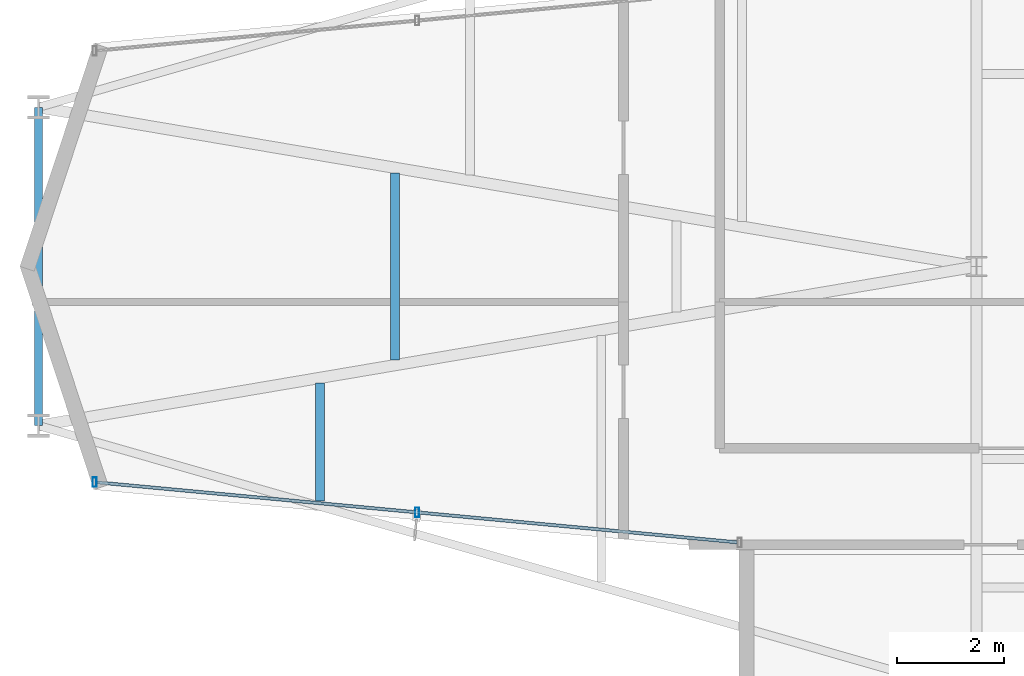
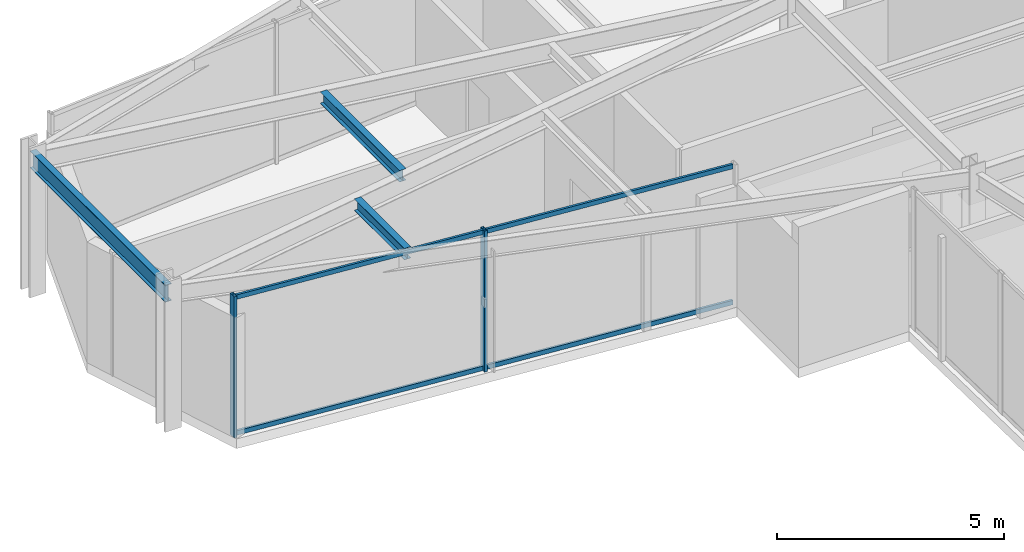
# One storey, part 2 of 24: 4 members, 3 beams, 1 element without a shape of its own.
"""IFC4 building model written with IfcOpenShell, lengths in metres."""

import ifcopenshell
import ifcopenshell.guid

model = None  # the IFC model being written
_history = None  # IfcOwnerHistory: only IFC2X3 demands one
_inside = {}  # id of a spatial element -> (the spatial element, [elements in it])
_under = {}  # id of a project, library or spatial element -> (it, [spatial elements below it])
_declared = {}  # id of a project -> (the project, [libraries it declares])
_typed = {}  # id of a type object -> (the type object, [elements of that type])
_made_of = {}  # id of a material, layer set ... -> (it, [elements and type objects made of it])


def new_model(schema):
    """Start an empty IFC model of exactly this schema.

    Asked for "IFC4X3", IfcOpenShell would pick the latest addendum, in which some entities
    have other attributes; the version numbers below select the first issue.
    IFC2X3 requires an IfcOwnerHistory on every rooted entity: one is made here for all.
    """
    global model, _history
    if schema == "IFC4X3":
        model = ifcopenshell.file(schema_version=(4, 3, 0, 0))
    else:
        model = ifcopenshell.file(schema=schema)
    _inside.clear()
    _under.clear()
    _declared.clear()
    _typed.clear()
    _made_of.clear()
    _history = None
    if model.schema == "IFC2X3":
        org = make("IfcOrganization", Name="unknown")
        user = make(
            "IfcPersonAndOrganization",
            ThePerson=make("IfcPerson", FamilyName="unknown"),
            TheOrganization=org,
        )
        app = make(
            "IfcApplication",
            ApplicationDeveloper=org,
            Version="unknown",
            ApplicationFullName="unknown",
            ApplicationIdentifier="unknown",
        )
        _history = make(
            "IfcOwnerHistory",
            OwningUser=user,
            OwningApplication=app,
            ChangeAction="ADDED",
            CreationDate=0,
        )
    return model


def make(cls, **values):
    """One entity of the class cls with the attributes given. An attribute that is None is left unset."""
    return model.create_entity(
        cls, **{name: value for name, value in values.items() if value is not None}
    )


def rooted(cls, **values):
    """An entity with a GlobalId (a new one), such as an element, a storey or a relation."""
    return make(cls, GlobalId=ifcopenshell.guid.new(), OwnerHistory=_history, **values)


def si_unit(unit_type, name, prefix=None):
    """IfcSIUnit, for example si_unit("LENGTHUNIT", "METRE", prefix="MILLI")."""
    return make("IfcSIUnit", UnitType=unit_type, Prefix=prefix, Name=name)


def assignment(units):
    """IfcUnitAssignment: the units of a project."""
    return None if units is None else make("IfcUnitAssignment", Units=units)


def point(xyz):
    """IfcCartesianPoint."""
    return None if xyz is None else make("IfcCartesianPoint", Coordinates=xyz)


def direction(xyz):
    """IfcDirection."""
    return None if xyz is None else make("IfcDirection", DirectionRatios=xyz)


def frame(location, z_axis=None, x_axis=None):
    """IfcAxis2Placement3D, a coordinate frame: its origin and axes. An axis left out is left unset."""
    return make(
        "IfcAxis2Placement3D",
        Location=point(location),
        Axis=direction(z_axis),
        RefDirection=direction(x_axis),
    )


def frame_2d(location, x_axis=None):
    """IfcAxis2Placement2D, a coordinate frame in the plane: its origin and x axis."""
    return make(
        "IfcAxis2Placement2D", Location=point(location), RefDirection=direction(x_axis)
    )


def origin():
    """The frame at (0, 0, 0) with its axes left unset."""
    return frame((0.0, 0.0, 0.0))


def origin_2d():
    """The frame at (0, 0) in the plane with its x axis left unset."""
    return frame_2d((0.0, 0.0))


def place(relative_to, where):
    """IfcLocalPlacement: puts the frame where relative to a parent placement (None: the world)."""
    return make(
        "IfcLocalPlacement", PlacementRelTo=relative_to, RelativePlacement=where
    )


def context(
    kind, dimensions, precision=None, world=None, true_north=None, identifier=None
):
    """IfcGeometricRepresentationContext, for example the 3D "Model" context."""
    return make(
        "IfcGeometricRepresentationContext",
        ContextIdentifier=identifier,
        ContextType=kind,
        CoordinateSpaceDimension=dimensions,
        Precision=precision,
        WorldCoordinateSystem=world,
        TrueNorth=true_north,
    )


def subcontext(parent, identifier, kind, view, scale=None):
    """IfcGeometricRepresentationSubContext, for example "Body" below "Model"."""
    return make(
        "IfcGeometricRepresentationSubContext",
        ContextIdentifier=identifier,
        ContextType=kind,
        ParentContext=parent,
        TargetScale=scale,
        TargetView=view,
    )


def project(units=None, contexts=None):
    """IfcProject with its units and contexts."""
    return rooted(
        "IfcProject",
        Name="project",
        RepresentationContexts=contexts,
        UnitsInContext=assignment(units),
    )


def spatial(cls, under=None, at=None, **own):
    """A site, building, storey or space (cls), placed at a placement, below another one or the project."""
    s = rooted(cls, ObjectPlacement=at, **own)
    if under is not None:
        _under.setdefault(under.id(), (under, []))[1].append(s)
    return s


def profile(cls, at=None, kind="AREA", **sizes):
    """A parametric profile (cls). Its sizes go by their IFC names, for example OverallWidth=200.0."""
    return make(cls, ProfileType=kind, Position=at, **sizes)


def hollow_rectangle(**sizes):
    """IfcRectangleHollowProfileDef."""
    return profile("IfcRectangleHollowProfileDef", **sizes)


def i_section(**sizes):
    """IfcIShapeProfileDef."""
    return profile("IfcIShapeProfileDef", **sizes)


def extrude(swept, where, along, depth):
    """IfcExtrudedAreaSolid: the profile swept, set in the frame where, extruded along a direction by depth."""
    return make(
        "IfcExtrudedAreaSolid",
        SweptArea=swept,
        Position=where,
        ExtrudedDirection=direction(along),
        Depth=depth,
    )


def shape(context_of_items, identifier, shape_type, items):
    """IfcShapeRepresentation: the items that make up one representation, for example the "Body"."""
    return make(
        "IfcShapeRepresentation",
        ContextOfItems=context_of_items,
        RepresentationIdentifier=identifier,
        RepresentationType=shape_type,
        Items=items,
    )


def material(Name=None, Category=None):
    """IfcMaterial."""
    return make("IfcMaterial", Name=Name, Category=Category)


def layer(
    of_material, thickness, ventilated=None, Name=None, Category=None, Priority=None
):
    """IfcMaterialLayer: one layer of a wall or slab, of a material (None: an air gap)."""
    return make(
        "IfcMaterialLayer",
        Material=of_material,
        LayerThickness=thickness,
        IsVentilated=ventilated,
        Name=Name,
        Category=Category,
        Priority=Priority,
    )


def layer_set(layers, Name=None):
    """IfcMaterialLayerSet."""
    return make("IfcMaterialLayerSet", MaterialLayers=layers, LayerSetName=Name)


def material_profile(
    of_material, cross_section, Name=None, Category=None, Priority=None
):
    """IfcMaterialProfile: a cross section and its material."""
    return make(
        "IfcMaterialProfile",
        Name=Name,
        Material=of_material,
        Profile=cross_section,
        Priority=Priority,
        Category=Category,
    )


def profile_set(profiles, Name=None, composite=None):
    """IfcMaterialProfileSet."""
    return make(
        "IfcMaterialProfileSet",
        Name=Name,
        MaterialProfiles=profiles,
        CompositeProfile=composite,
    )


def made_of(thing, what):
    """Note that an element or type object is made of a material, layer set ...; save() writes the relation."""
    if what is not None:
        _made_of.setdefault(what.id(), (what, []))[1].append(thing)
    return thing


def type_object(cls, material=None, **own):
    """A type object (cls), such as IfcWallType, which elements share."""
    return made_of(rooted(cls, **own), material)


def element(
    cls,
    number,
    at=None,
    inside=None,
    cuts=None,
    type_object=None,
    material=None,
    context=None,
    identifier="Body",
    shape_type=None,
    held_by="IfcProductDefinitionShape",
    body=None,
    shapes=None,
    **own,
):
    """One element of the class cls, such as IfcWall. Its Tag is "e" and its number.

    at: its placement. inside: the storey or other place that contains it. cuts: it is an
    opening in that element (IfcRelVoidsElement). A single representation is given by context,
    identifier, shape_type and body (its items); several are given by shapes. held_by: the class
    of the entity that holds the representations. save() writes the other relations.
    """
    e = rooted(cls, Tag="e%d" % number, ObjectPlacement=at, **own)
    if body is not None:
        shapes = [shape(context, identifier, shape_type, body)]
    if shapes is not None:
        e.Representation = make(held_by, Representations=shapes)
    if inside is not None:
        _inside.setdefault(inside.id(), (inside, []))[1].append(e)
    if cuts is not None:
        rooted(
            "IfcRelVoidsElement", RelatingBuildingElement=cuts, RelatedOpeningElement=e
        )
    if type_object is not None:
        _typed.setdefault(type_object.id(), (type_object, []))[1].append(e)
    return made_of(e, material)


def aggregate(whole, parts):
    """IfcRelAggregates: a whole, such as a stair, and the parts it consists of."""
    return rooted("IfcRelAggregates", RelatingObject=whole, RelatedObjects=parts)


def save(model, path):
    """Write the relations noted so far, then the file.

    IfcRelAggregates (storeys below a building ...), IfcRelContainedInSpatialStructure (elements
    in a storey), IfcRelDefinesByType, IfcRelAssociatesMaterial and IfcRelDeclares: one each for
    every whole, place, type object, material and project.
    """
    for whole, parts in _under.values():
        aggregate(whole, parts)
    for where, things in _inside.values():
        rooted(
            "IfcRelContainedInSpatialStructure",
            RelatedElements=things,
            RelatingStructure=where,
        )
    for kind, things in _typed.values():
        rooted("IfcRelDefinesByType", RelatedObjects=things, RelatingType=kind)
    for what, things in _made_of.values():
        rooted("IfcRelAssociatesMaterial", RelatedObjects=things, RelatingMaterial=what)
    for by, libraries in _declared.values():
        rooted("IfcRelDeclares", RelatingContext=by, RelatedDefinitions=libraries)
    model.write(path)


model = new_model("IFC4")

# Units and contexts
model_context = context("Model", 3, precision=1e-05, world=origin(), true_north=direction((0.0, 1.0)))
body_context = subcontext(model_context, "Body", "Model", "MODEL_VIEW")
ifc_project = project(units=[si_unit("LENGTHUNIT", "METRE"), si_unit("AREAUNIT", "SQUARE_METRE"), si_unit("VOLUMEUNIT", "CUBIC_METRE"), si_unit("PLANEANGLEUNIT", "RADIAN"), si_unit("MASSUNIT", "GRAM", prefix="KILO")], contexts=[model_context])

# Site, building, storey
site_placement = place(None, origin())
site = spatial("IfcSite", under=ifc_project, at=site_placement, CompositionType="ELEMENT")
building_placement = place(site_placement, origin())
building = spatial("IfcBuilding", under=site, at=building_placement, Name="Veymaron Broadcast Tower", CompositionType="ELEMENT")
storey_placement = place(building_placement, frame((0.0, 0.0, 220.199951171875)))
storey = spatial("IfcBuildingStorey", under=building, at=storey_placement, Name="L51", CompositionType="ELEMENT", Elevation=220.199951171875)

# Beams
ifc_material_1 = material(Name="Structural steel ASTM A992 Gr 50", Category="steel")
ifc_material_profile_1 = material_profile(ifc_material_1, i_section(OverallWidth=0.1650390625, OverallDepth=0.31005859375, WebThickness=0.005859375, FlangeThickness=0.009765625, at=origin_2d()), Name="W310X39")
ifc_profile_set_1 = profile_set([ifc_material_profile_1], Name="Structural steel ASTM A992 Gr 50")
beam_type_1 = type_object("IfcBeamType", Name="BM-JS3", PredefinedType="JOIST", material=ifc_profile_set_1)
beam_1_placement = place(storey_placement, frame((18.925537109375, 19.617431640625, 3.635009765625), z_axis=(0.0, 1.0, 0.0), x_axis=(-1.0, 0.0, 0.0)))
element("IfcBeam", 1, at=beam_1_placement, inside=storey, type_object=beam_type_1, Name="L51 Arm-A secondary joist 1S", PredefinedType="JOIST", context=body_context, shape_type="SweptSolid", body=[
    extrude(i_section(OverallWidth=0.1650390625, OverallDepth=0.31005859375, WebThickness=0.005859375, FlangeThickness=0.009765625, at=origin_2d()), origin(), (0.0, 0.0, 1.0), 2.199951171875),
])
beam_2_placement = place(storey_placement, frame((20.328369140625, 22.255615234375, 3.635009765625), z_axis=(0.0, 1.0, 0.0), x_axis=(-1.0, 0.0, 0.0)))
element("IfcBeam", 2, at=beam_2_placement, inside=storey, type_object=beam_type_1, Name="L51 Arm-A secondary joist 1M", PredefinedType="JOIST", context=body_context, shape_type="SweptSolid", body=[
    extrude(i_section(OverallWidth=0.1650390625, OverallDepth=0.31005859375, WebThickness=0.005859375, FlangeThickness=0.009765625, at=origin_2d()), origin(), (0.0, 0.0, 1.0), 3.48876953125),
])
ifc_material_profile_2 = material_profile(ifc_material_1, i_section(OverallWidth=0.154052734375, OverallDepth=0.458984375, WebThickness=0.009033203125, FlangeThickness=0.015380859375, at=origin_2d()), Name="W460X68")
ifc_profile_set_2 = profile_set([ifc_material_profile_2], Name="Structural steel ASTM A992 Gr 50")
beam_type_2 = type_object("IfcBeamType", Name="BM-SP2", PredefinedType="SPANDREL", material=ifc_profile_set_2)
beam_3_placement = place(storey_placement, frame((13.6650390625, 21.02490234375, 3.560546875), z_axis=(0.0, 1.0, 0.0), x_axis=(-1.0, 0.0, 0.0)))
element("IfcBeam", 3, at=beam_3_placement, inside=storey, type_object=beam_type_2, Name="L51 primary structural floor girder", PredefinedType="SPANDREL", context=body_context, shape_type="SweptSolid", body=[
    extrude(i_section(OverallWidth=0.154052734375, OverallDepth=0.458984375, WebThickness=0.009033203125, FlangeThickness=0.015380859375, at=origin_2d()), origin(), (0.0, 0.0, 1.0), 5.9501953125),
])

# Curtain wall, members
ifc_material_2 = material(Name="Anodised aluminium AA 6063-T6 and laminated low-E dark glass", Category="aluminium")
ifc_layer = layer(ifc_material_2, 0.179931640625)
ifc_layer_set = layer_set([ifc_layer], Name="Anodised aluminium AA 6063-T6 and laminated low-E dark glass")
curtain_wall_type = type_object("IfcCurtainWallType", Name="CW-SYS-05", PredefinedType="NOTDEFINED", material=ifc_layer_set)
curtain_wall_placement = place(storey_placement, origin())
curtain_wall = element("IfcCurtainWall", 4, at=curtain_wall_placement, inside=storey, type_object=curtain_wall_type, Name="L51 dark-glass curtain wall CW-L51-E14-1", PredefinedType="NOTDEFINED")
ifc_material_3 = material(Name="Anodised aluminium AA 6063-T6", Category="aluminium")
ifc_material_profile_3 = material_profile(ifc_material_3, hollow_rectangle(XDim=0.074951171875, YDim=0.179931640625, WallThickness=0.0048828125, at=origin_2d()), Name="AL180X75X5")
ifc_profile_set_3 = profile_set([ifc_material_profile_3], Name="Anodised aluminium AA 6063-T6")
member_type_1 = type_object("IfcMemberType", Name="CW-MUL-02", PredefinedType="MULLION", material=ifc_profile_set_3)
member_1_placement = place(storey_placement, frame((14.713134765625, 19.96875, 0.0), z_axis=(0.0, 0.0, 1.0), x_axis=(1.0, 0.0, 0.0)))
member_1 = element("IfcMember", 5, at=member_1_placement, type_object=member_type_1, Name="CW-L51-E14-1 mullion 0", PredefinedType="MULLION", context=body_context, shape_type="SweptSolid", body=[
    extrude(hollow_rectangle(XDim=0.074951171875, YDim=0.179931640625, WallThickness=0.0048828125, at=origin_2d()), origin(), (0.0, 0.0, 1.0), 3.7900390625),
])
member_2_placement = place(storey_placement, frame((20.7431640625, 19.40380859375, 0.0), z_axis=(0.0, 0.0, 1.0), x_axis=(1.0, 0.0, 0.0)))
member_2 = element("IfcMember", 6, at=member_2_placement, type_object=member_type_1, Name="CW-L51-E14-1 mullion 1", PredefinedType="MULLION", context=body_context, shape_type="SweptSolid", body=[
    extrude(hollow_rectangle(XDim=0.074951171875, YDim=0.179931640625, WallThickness=0.0048828125, at=origin_2d()), origin(), (0.0, 0.0, 1.0), 3.7900390625),
])
ifc_material_profile_4 = material_profile(ifc_material_3, hollow_rectangle(XDim=0.06005859375, YDim=0.1201171875, WallThickness=0.00390625, at=origin_2d()), Name="AL120X60X4")
ifc_profile_set_4 = profile_set([ifc_material_profile_4], Name="Anodised aluminium AA 6063-T6")
member_type_2 = type_object("IfcMemberType", Name="CW-TRN-02", PredefinedType="USERDEFINED", material=ifc_profile_set_4)
member_3_placement = place(storey_placement, frame((14.762939453125, 19.964111328125, 0.070068359375), z_axis=(0.995641423823, -0.093263900672, 0.0), x_axis=(0.093263900672, 0.995641423823, 0.0)))
member_3 = element("IfcMember", 7, at=member_3_placement, type_object=member_type_2, Name="CW-L51-E14-1 transom B", ObjectType="TRANSOM", PredefinedType="USERDEFINED", context=body_context, shape_type="SweptSolid", body=[
    extrude(hollow_rectangle(XDim=0.06005859375, YDim=0.1201171875, WallThickness=0.00390625, at=origin_2d()), origin(), (0.0, 0.0, 1.0), 12.0126953125),
])
member_4_placement = place(storey_placement, frame((14.762939453125, 19.964111328125, 3.719970703125), z_axis=(0.995641423823, -0.093263900672, 0.0), x_axis=(0.093263900672, 0.995641423823, 0.0)))
member_4 = element("IfcMember", 8, at=member_4_placement, type_object=member_type_2, Name="CW-L51-E14-1 transom T", ObjectType="TRANSOM", PredefinedType="USERDEFINED", context=body_context, shape_type="SweptSolid", body=[
    extrude(hollow_rectangle(XDim=0.06005859375, YDim=0.1201171875, WallThickness=0.00390625, at=origin_2d()), origin(), (0.0, 0.0, 1.0), 12.0126953125),
])
aggregate(curtain_wall, [member_1, member_2, member_3, member_4])

save(model, "model.ifc")
